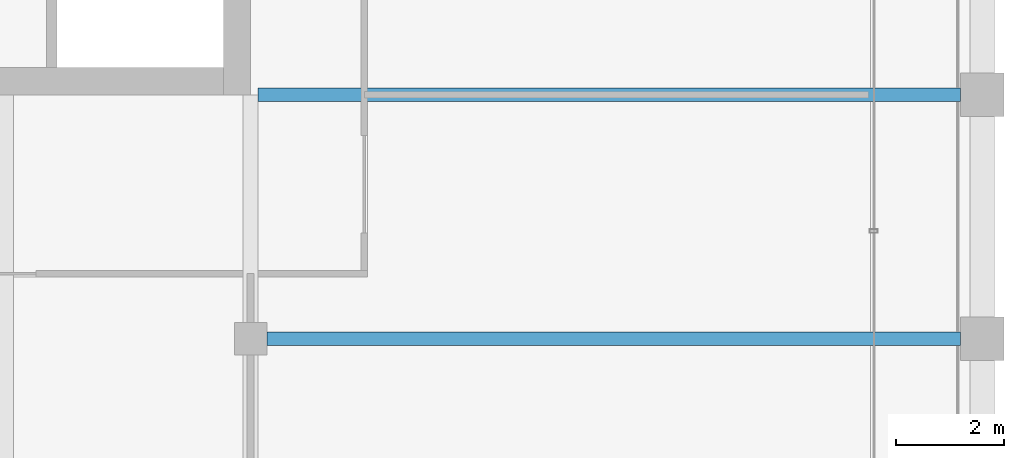
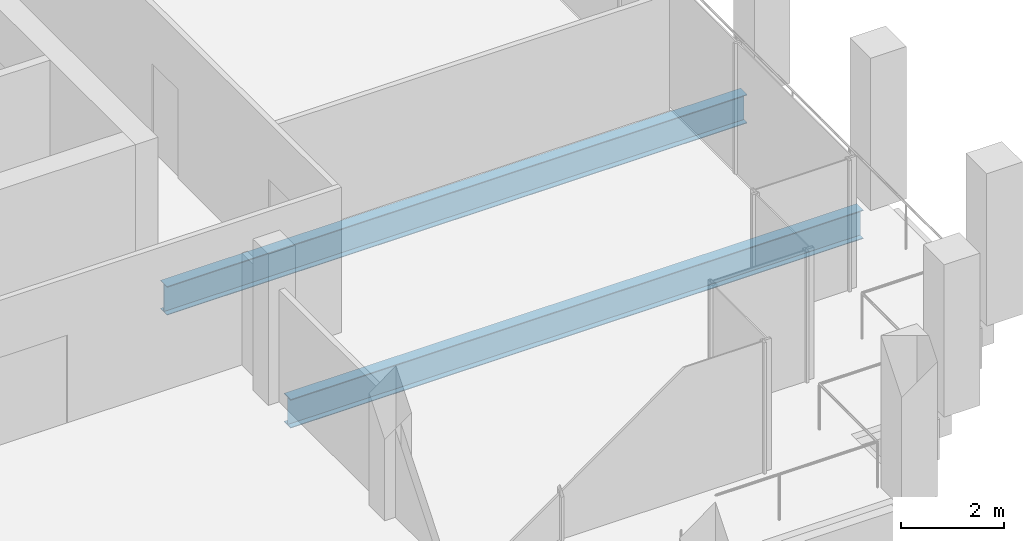
# One storey, part 14 of 30: 2 beams.
"""IFC4 building model written with IfcOpenShell, lengths in metres."""

from ifc_helpers import new_model, si_unit, direction, frame, origin, origin_2d, place, context, subcontext, project, spatial, i_section, extrude, material, material_profile, profile_set, type_object, element, save


model = new_model("IFC4")

# Units and contexts
model_context = context("Model", 3, precision=1e-05, world=origin(), true_north=direction((0.0, 1.0)))
body_context = subcontext(model_context, "Body", "Model", "MODEL_VIEW")
ifc_project = project(units=[si_unit("LENGTHUNIT", "METRE"), si_unit("AREAUNIT", "SQUARE_METRE"), si_unit("VOLUMEUNIT", "CUBIC_METRE"), si_unit("PLANEANGLEUNIT", "RADIAN"), si_unit("MASSUNIT", "GRAM", prefix="KILO")], contexts=[model_context])

# Site, building, storey
site_placement = place(None, origin())
site = spatial("IfcSite", under=ifc_project, at=site_placement, CompositionType="ELEMENT")
building_placement = place(site_placement, origin())
building = spatial("IfcBuilding", under=site, at=building_placement, Name="Altepetl Exchange Towers", CompositionType="ELEMENT")
storey_placement = place(building_placement, frame((0.0, 0.0, 235.199951171875)))
storey = spatial("IfcBuildingStorey", under=building, at=storey_placement, Name="L60", CompositionType="ELEMENT", Elevation=235.199951171875)

# Beams
ifc_material = material(Name="Steel S355", Category="steel")
ifc_material_profile = material_profile(ifc_material, i_section(OverallWidth=0.2529296875, OverallDepth=0.677978515625, WebThickness=0.01171875, FlangeThickness=0.016357421875, at=origin_2d()), Name="W27X84")
ifc_profile_set = profile_set([ifc_material_profile], Name="Steel S355")
beam_type = type_object("IfcBeamType", Name="Floor beam W27X84", PredefinedType="BEAM", material=ifc_profile_set)
beam_1_placement = place(storey_placement, frame((58.800048828125, 36.0, -0.489013671875), z_axis=(1.0, 0.0, 0.0), x_axis=(0.0, 1.0, 0.0)))
element("IfcBeam", 1, at=beam_1_placement, inside=storey, type_object=beam_type, Name="bm:A:L60:007", PredefinedType="BEAM", context=body_context, shape_type="SweptSolid", body=[
    extrude(i_section(OverallWidth=0.2529296875, OverallDepth=0.677978515625, WebThickness=0.01171875, FlangeThickness=0.016357421875, at=origin_2d()), origin(), (0.0, 0.0, 1.0), 12.800048828125),
])
beam_2_placement = place(storey_placement, frame((58.634033203125, 40.5, -0.489013671875), z_axis=(1.0, 0.0, 0.0), x_axis=(0.0, 1.0, 0.0)))
element("IfcBeam", 2, at=beam_2_placement, inside=storey, type_object=beam_type, Name="bm:A:L60:008", PredefinedType="BEAM", context=body_context, shape_type="SweptSolid", body=[
    extrude(i_section(OverallWidth=0.2529296875, OverallDepth=0.677978515625, WebThickness=0.01171875, FlangeThickness=0.016357421875, at=origin_2d()), origin(), (0.0, 0.0, 1.0), 12.966064453125),
])

save(model, "model.ifc")
